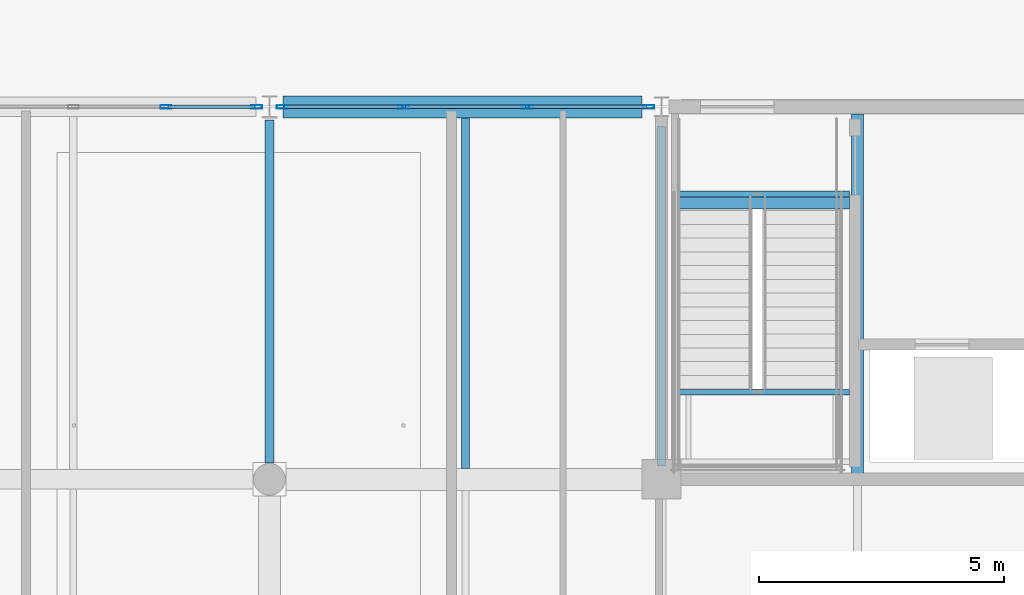
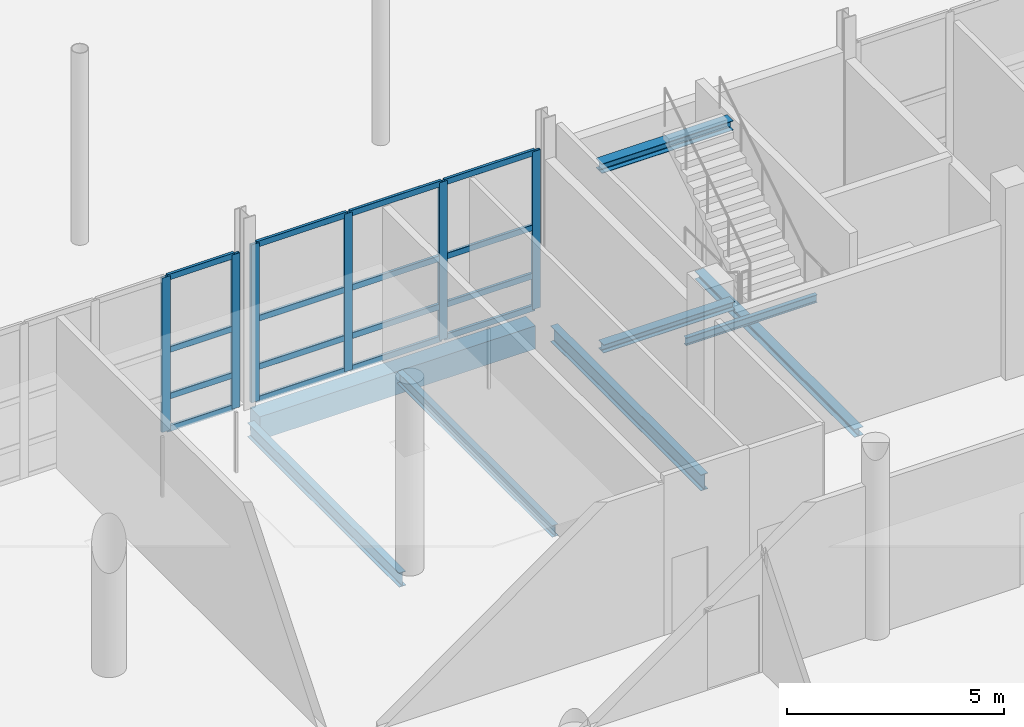
# One storey, part 44 of 126: 22 members, 8 beams, 2 elements without a shape of their own.
"""IFC4 building model written with IfcOpenShell, lengths in metres."""

from ifc_helpers import new_model, si_unit, direction, frame, origin, origin_2d, place, context, subcontext, project, spatial, rectangle, hollow_rectangle, i_section, extrude, material, material_profile, profile_set, type_object, element, aggregate, save


model = new_model("IFC4")

# Units and contexts
model_context = context("Model", 3, precision=1e-05, world=origin(), true_north=direction((0.0, 1.0)))
body_context = subcontext(model_context, "Body", "Model", "MODEL_VIEW")
ifc_project = project(units=[si_unit("LENGTHUNIT", "METRE"), si_unit("AREAUNIT", "SQUARE_METRE"), si_unit("VOLUMEUNIT", "CUBIC_METRE"), si_unit("PLANEANGLEUNIT", "RADIAN"), si_unit("MASSUNIT", "GRAM", prefix="KILO")], contexts=[model_context])

# Site, building, storey
site_placement = place(None, origin())
site = spatial("IfcSite", under=ifc_project, at=site_placement, CompositionType="ELEMENT")
building_placement = place(site_placement, origin())
building = spatial("IfcBuilding", under=site, at=building_placement, Name="Khelvaren Railside Concert Hall", CompositionType="ELEMENT")
storey_placement = place(building_placement, origin())
storey = spatial("IfcBuildingStorey", under=building, at=storey_placement, Name="L00", CompositionType="ELEMENT", Elevation=0.0)

# Beams
ifc_material_1 = material(Name="Steel S355", Category="steel")
ifc_material_profile_1 = material_profile(ifc_material_1, i_section(OverallWidth=0.179931640625, OverallDepth=0.39990234375, WebThickness=0.008544921875, FlangeThickness=0.013427734375, FilletRadius=0.02099609375, at=origin_2d()), Name="IPE 400")
ifc_profile_set_1 = profile_set([ifc_material_profile_1], Name="Steel S355")
beam_type_1 = type_object("IfcBeamType", Name="BM29", PredefinedType="BEAM", material=ifc_profile_set_1)
beam_1_placement = place(storey_placement, frame((160.0, 30.736083984375, -0.52001953125), z_axis=(0.0, 1.0, 0.0), x_axis=(-1.0, 0.0, 0.0)))
element("IfcBeam", 1, at=beam_1_placement, inside=storey, type_object=beam_type_1, Name="V2 L00 Beam Y3.5", PredefinedType="BEAM", context=body_context, shape_type="SweptSolid", body=[
    extrude(i_section(OverallWidth=0.179931640625, OverallDepth=0.39990234375, WebThickness=0.008544921875, FlangeThickness=0.013427734375, FilletRadius=0.02099609375, at=origin_2d()), origin(), (0.0, 0.0, 1.0), 6.990966796875),
])
ifc_material_profile_2 = material_profile(ifc_material_1, i_section(OverallWidth=0.239990234375, OverallDepth=0.22998046875, WebThickness=0.007568359375, FlangeThickness=0.011962890625, FilletRadius=0.02099609375, at=origin_2d()), Name="HEA 240")
ifc_profile_set_2 = profile_set([ifc_material_profile_2], Name="Steel S355")
beam_type_2 = type_object("IfcBeamType", Name="BM42", PredefinedType="BEAM", material=ifc_profile_set_2)
beam_2_placement = place(storey_placement, frame((168.344970703125, 36.039306640625, -0.114990234375), z_axis=(1.0, 0.0, 0.0), x_axis=(0.0, 1.0, 0.0)))
element("IfcBeam", 2, at=beam_2_placement, inside=storey, type_object=beam_type_2, Name="ST-04 L00 Stair Foot Trimmer Beam", PredefinedType="BEAM", context=body_context, shape_type="SweptSolid", body=[
    extrude(i_section(OverallWidth=0.239990234375, OverallDepth=0.22998046875, WebThickness=0.007568359375, FlangeThickness=0.011962890625, FilletRadius=0.02099609375, at=origin_2d()), origin(), (0.0, 0.0, 1.0), 3.4951171875),
])
ifc_material_profile_3 = material_profile(ifc_material_1, i_section(OverallWidth=0.110107421875, OverallDepth=0.219970703125, WebThickness=0.005859375, FlangeThickness=0.00927734375, FilletRadius=0.011962890625, at=origin_2d()), Name="IPE 220")
ifc_profile_set_3 = profile_set([ifc_material_profile_3], Name="Steel S355")
beam_type_3 = type_object("IfcBeamType", Name="BM87", PredefinedType="BEAM", material=ifc_profile_set_3)
beam_3_placement = place(storey_placement, frame((168.344970703125, 32.175048828125, 2.389892578125), z_axis=(1.0, 0.0, 0.0), x_axis=(0.0, 1.0, 0.0)))
element("IfcBeam", 3, at=beam_3_placement, inside=storey, type_object=beam_type_3, Name="ST-04 L00 Half-Landing Front Beam", PredefinedType="BEAM", context=body_context, shape_type="SweptSolid", body=[
    extrude(i_section(OverallWidth=0.110107421875, OverallDepth=0.219970703125, WebThickness=0.005859375, FlangeThickness=0.00927734375, FilletRadius=0.011962890625, at=origin_2d()), origin(), (0.0, 0.0, 1.0), 3.4951171875),
])
ifc_material_profile_4 = material_profile(ifc_material_1, i_section(OverallWidth=0.280029296875, OverallDepth=0.27001953125, WebThickness=0.008056640625, FlangeThickness=0.012939453125, FilletRadius=0.02392578125, at=origin_2d()), Name="HEA 280")
ifc_profile_set_4 = profile_set([ifc_material_profile_4], Name="Steel S355")
beam_type_4 = type_object("IfcBeamType", Name="BM93", PredefinedType="BEAM", material=ifc_profile_set_4)
beam_4_placement = place(storey_placement, frame((168.344970703125, 36.139892578125, 4.90673828125), z_axis=(1.0, 0.0, 0.0), x_axis=(0.0, 1.0, 0.0)))
element("IfcBeam", 4, at=beam_4_placement, inside=storey, type_object=beam_type_4, Name="ST-04 L00 Stair Top Arrival Trimmer Beam", PredefinedType="BEAM", context=body_context, shape_type="SweptSolid", body=[
    extrude(i_section(OverallWidth=0.280029296875, OverallDepth=0.27001953125, WebThickness=0.008056640625, FlangeThickness=0.012939453125, FilletRadius=0.02392578125, at=origin_2d()), origin(), (0.0, 0.0, 1.0), 3.4951171875),
])
ifc_material_profile_5 = material_profile(ifc_material_1, i_section(OverallWidth=0.18994140625, OverallDepth=0.449951171875, WebThickness=0.009521484375, FlangeThickness=0.0146484375, FilletRadius=0.02099609375, at=origin_2d()), Name="IPE 450")
ifc_profile_set_5 = profile_set([ifc_material_profile_5], Name="Steel S355")
beam_type_5 = type_object("IfcBeamType", Name="BM95", PredefinedType="BEAM", material=ifc_profile_set_5)
beam_5_placement = place(storey_placement, frame((168.0, 30.673095703125, -0.544921875), z_axis=(0.0, 1.0, 0.0), x_axis=(-1.0, 0.0, 0.0)))
element("IfcBeam", 5, at=beam_5_placement, inside=storey, type_object=beam_type_5, Name="V2 L00 Beam Y4.5", PredefinedType="BEAM", context=body_context, shape_type="SweptSolid", body=[
    extrude(i_section(OverallWidth=0.18994140625, OverallDepth=0.449951171875, WebThickness=0.009521484375, FlangeThickness=0.0146484375, FilletRadius=0.02099609375, at=origin_2d()), origin(), (0.0, 0.0, 1.0), 6.927001953125),
])

# Curtain wall, members
ifc_material_2 = material(Name="Triple-glazed solar-control glass", Category="glass")
curtain_wall_type_1 = type_object("IfcCurtainWallType", Name="CW41", PredefinedType="USERDEFINED", material=ifc_material_2)
curtain_wall_1_placement = place(storey_placement, origin())
curtain_wall_1 = element("IfcCurtainWall", 6, at=curtain_wall_1_placement, inside=storey, type_object=curtain_wall_type_1, Name="Unitised Curtain Wall CW-V2-L00-N-152", ObjectType="UNITISED CURTAIN WALL", PredefinedType="USERDEFINED")
ifc_material_3 = material(Name="Anodised architectural aluminium 6063-T6", Category="aluminium")
ifc_material_profile_6 = material_profile(ifc_material_3, hollow_rectangle(XDim=0.074951171875, YDim=0.219970703125, WallThickness=0.0048828125, InnerFilletRadius=0.0029296875, OuterFilletRadius=0.0048828125, at=origin_2d()), Name="CWM 75x220x5")
ifc_profile_set_6 = profile_set([ifc_material_profile_6], Name="Anodised architectural aluminium 6063-T6")
member_type_1 = type_object("IfcMemberType", Name="CWM13", PredefinedType="MULLION", material=ifc_profile_set_6)
member_1_placement = place(storey_placement, frame((157.888671875, 38.0, 0.0), z_axis=(0.0, 0.0, 1.0), x_axis=(0.0, 1.0, 0.0)))
member_1 = element("IfcMember", 7, at=member_1_placement, type_object=member_type_1, Name="CW41 mullion 4", PredefinedType="MULLION", context=body_context, shape_type="SweptSolid", body=[
    extrude(hollow_rectangle(XDim=0.074951171875, YDim=0.219970703125, WallThickness=0.0048828125, InnerFilletRadius=0.0029296875, OuterFilletRadius=0.0048828125, at=origin_2d()), origin(), (0.0, 0.0, 1.0), 4.340087890625),
])
member_2_placement = place(storey_placement, frame((159.739990234375, 38.0, 0.0), z_axis=(0.0, 0.0, 1.0), x_axis=(0.0, 1.0, 0.0)))
member_2 = element("IfcMember", 8, at=member_2_placement, type_object=member_type_1, Name="CW41 mullion 5", PredefinedType="MULLION", context=body_context, shape_type="SweptSolid", body=[
    extrude(hollow_rectangle(XDim=0.074951171875, YDim=0.219970703125, WallThickness=0.0048828125, InnerFilletRadius=0.0029296875, OuterFilletRadius=0.0048828125, at=origin_2d()), origin(), (0.0, 0.0, 1.0), 4.340087890625),
])

curtain_wall_type_2 = type_object("IfcCurtainWallType", Name="CW88", PredefinedType="USERDEFINED", material=ifc_material_2)
curtain_wall_2_placement = place(storey_placement, origin())
curtain_wall_2 = element("IfcCurtainWall", 9, at=curtain_wall_2_placement, inside=storey, type_object=curtain_wall_type_2, Name="Unitised Curtain Wall CW-V2-L00-N-160", ObjectType="UNITISED CURTAIN WALL", PredefinedType="USERDEFINED")
member_3_placement = place(storey_placement, frame((160.260009765625, 38.0, 0.0), z_axis=(0.0, 0.0, 1.0), x_axis=(0.0, 1.0, 0.0)))
member_3 = element("IfcMember", 10, at=member_3_placement, type_object=member_type_1, Name="CW88 mullion 1", PredefinedType="MULLION", context=body_context, shape_type="SweptSolid", body=[
    extrude(hollow_rectangle(XDim=0.074951171875, YDim=0.219970703125, WallThickness=0.0048828125, InnerFilletRadius=0.0029296875, OuterFilletRadius=0.0048828125, at=origin_2d()), origin(), (0.0, 0.0, 1.0), 4.43994140625),
])
member_4_placement = place(storey_placement, frame((162.74072265625, 38.0, 0.0), z_axis=(0.0, 0.0, 1.0), x_axis=(0.0, 1.0, 0.0)))
member_4 = element("IfcMember", 11, at=member_4_placement, type_object=member_type_1, Name="CW88 mullion 2", PredefinedType="MULLION", context=body_context, shape_type="SweptSolid", body=[
    extrude(hollow_rectangle(XDim=0.074951171875, YDim=0.219970703125, WallThickness=0.0048828125, InnerFilletRadius=0.0029296875, OuterFilletRadius=0.0048828125, at=origin_2d()), origin(), (0.0, 0.0, 1.0), 4.43994140625),
])
member_5_placement = place(storey_placement, frame((165.25927734375, 38.0, 0.0), z_axis=(0.0, 0.0, 1.0), x_axis=(0.0, 1.0, 0.0)))
member_5 = element("IfcMember", 12, at=member_5_placement, type_object=member_type_1, Name="CW88 mullion 3", PredefinedType="MULLION", context=body_context, shape_type="SweptSolid", body=[
    extrude(hollow_rectangle(XDim=0.074951171875, YDim=0.219970703125, WallThickness=0.0048828125, InnerFilletRadius=0.0029296875, OuterFilletRadius=0.0048828125, at=origin_2d()), origin(), (0.0, 0.0, 1.0), 4.43994140625),
])
member_6_placement = place(storey_placement, frame((167.739990234375, 38.0, 0.0), z_axis=(0.0, 0.0, 1.0), x_axis=(0.0, 1.0, 0.0)))
member_6 = element("IfcMember", 13, at=member_6_placement, type_object=member_type_1, Name="CW88 mullion 4", PredefinedType="MULLION", context=body_context, shape_type="SweptSolid", body=[
    extrude(hollow_rectangle(XDim=0.074951171875, YDim=0.219970703125, WallThickness=0.0048828125, InnerFilletRadius=0.0029296875, OuterFilletRadius=0.0048828125, at=origin_2d()), origin(), (0.0, 0.0, 1.0), 4.43994140625),
])

# Member
ifc_material_profile_7 = material_profile(ifc_material_3, hollow_rectangle(XDim=0.074951171875, YDim=0.1650390625, WallThickness=0.00390625, InnerFilletRadius=0.001953125, OuterFilletRadius=0.00390625, at=origin_2d()), Name="CWT 75x165x4")
ifc_profile_set_7 = profile_set([ifc_material_profile_7], Name="Anodised architectural aluminium 6063-T6")
member_type_2 = type_object("IfcMemberType", Name="CWT46", PredefinedType="USERDEFINED", material=ifc_profile_set_7)
member_7_placement = place(storey_placement, frame((157.92626953125, 38.0, 0.03759765625), z_axis=(1.0, 0.0, 0.0), x_axis=(0.0, 1.0, 0.0)))
member_7 = element("IfcMember", 14, at=member_7_placement, type_object=member_type_2, Name="CW41 transom 4.1", ObjectType="TRANSOM", PredefinedType="USERDEFINED", context=body_context, shape_type="SweptSolid", body=[
    extrude(hollow_rectangle(XDim=0.074951171875, YDim=0.1650390625, WallThickness=0.00390625, InnerFilletRadius=0.001953125, OuterFilletRadius=0.00390625, at=origin_2d()), origin(), (0.0, 0.0, 1.0), 1.776123046875),
])

member_8_placement = place(storey_placement, frame((157.92626953125, 38.0, 0.949951171875), z_axis=(1.0, 0.0, 0.0), x_axis=(0.0, 1.0, 0.0)))
member_8 = element("IfcMember", 15, at=member_8_placement, type_object=member_type_2, Name="CW41 transom 4.2", ObjectType="TRANSOM", PredefinedType="USERDEFINED", context=body_context, shape_type="SweptSolid", body=[
    extrude(hollow_rectangle(XDim=0.074951171875, YDim=0.1650390625, WallThickness=0.00390625, InnerFilletRadius=0.001953125, OuterFilletRadius=0.00390625, at=origin_2d()), origin(), (0.0, 0.0, 1.0), 1.776123046875),
])

member_9_placement = place(storey_placement, frame((157.92626953125, 38.0, 2.2568359375), z_axis=(1.0, 0.0, 0.0), x_axis=(0.0, 1.0, 0.0)))
member_9 = element("IfcMember", 16, at=member_9_placement, type_object=member_type_2, Name="CW41 transom 4.3", ObjectType="TRANSOM", PredefinedType="USERDEFINED", context=body_context, shape_type="SweptSolid", body=[
    extrude(hollow_rectangle(XDim=0.074951171875, YDim=0.1650390625, WallThickness=0.00390625, InnerFilletRadius=0.001953125, OuterFilletRadius=0.00390625, at=origin_2d()), origin(), (0.0, 0.0, 1.0), 1.776123046875),
])

member_10_placement = place(storey_placement, frame((157.92626953125, 38.0, 4.302490234375), z_axis=(1.0, 0.0, 0.0), x_axis=(0.0, 1.0, 0.0)))
member_10 = element("IfcMember", 17, at=member_10_placement, type_object=member_type_2, Name="CW41 transom 4.4", ObjectType="TRANSOM", PredefinedType="USERDEFINED", context=body_context, shape_type="SweptSolid", body=[
    extrude(hollow_rectangle(XDim=0.074951171875, YDim=0.1650390625, WallThickness=0.00390625, InnerFilletRadius=0.001953125, OuterFilletRadius=0.00390625, at=origin_2d()), origin(), (0.0, 0.0, 1.0), 1.776123046875),
])

aggregate(curtain_wall_1, [member_1, member_2, member_7, member_8, member_9, member_10])

member_11_placement = place(storey_placement, frame((160.297607421875, 38.0, 0.03759765625), z_axis=(1.0, 0.0, 0.0), x_axis=(0.0, 1.0, 0.0)))
member_11 = element("IfcMember", 18, at=member_11_placement, type_object=member_type_2, Name="CW88 transom 1.1", ObjectType="TRANSOM", PredefinedType="USERDEFINED", context=body_context, shape_type="SweptSolid", body=[
    extrude(hollow_rectangle(XDim=0.074951171875, YDim=0.1650390625, WallThickness=0.00390625, InnerFilletRadius=0.001953125, OuterFilletRadius=0.00390625, at=origin_2d()), origin(), (0.0, 0.0, 1.0), 2.40576171875),
])

member_12_placement = place(storey_placement, frame((160.297607421875, 38.0, 0.949951171875), z_axis=(1.0, 0.0, 0.0), x_axis=(0.0, 1.0, 0.0)))
member_12 = element("IfcMember", 19, at=member_12_placement, type_object=member_type_2, Name="CW88 transom 1.2", ObjectType="TRANSOM", PredefinedType="USERDEFINED", context=body_context, shape_type="SweptSolid", body=[
    extrude(hollow_rectangle(XDim=0.074951171875, YDim=0.1650390625, WallThickness=0.00390625, InnerFilletRadius=0.001953125, OuterFilletRadius=0.00390625, at=origin_2d()), origin(), (0.0, 0.0, 1.0), 2.40576171875),
])

member_13_placement = place(storey_placement, frame((160.297607421875, 38.0, 2.308837890625), z_axis=(1.0, 0.0, 0.0), x_axis=(0.0, 1.0, 0.0)))
member_13 = element("IfcMember", 20, at=member_13_placement, type_object=member_type_2, Name="CW88 transom 1.3", ObjectType="TRANSOM", PredefinedType="USERDEFINED", context=body_context, shape_type="SweptSolid", body=[
    extrude(hollow_rectangle(XDim=0.074951171875, YDim=0.1650390625, WallThickness=0.00390625, InnerFilletRadius=0.001953125, OuterFilletRadius=0.00390625, at=origin_2d()), origin(), (0.0, 0.0, 1.0), 2.40576171875),
])

member_14_placement = place(storey_placement, frame((160.297607421875, 38.0, 4.402587890625), z_axis=(1.0, 0.0, 0.0), x_axis=(0.0, 1.0, 0.0)))
member_14 = element("IfcMember", 21, at=member_14_placement, type_object=member_type_2, Name="CW88 transom 1.4", ObjectType="TRANSOM", PredefinedType="USERDEFINED", context=body_context, shape_type="SweptSolid", body=[
    extrude(hollow_rectangle(XDim=0.074951171875, YDim=0.1650390625, WallThickness=0.00390625, InnerFilletRadius=0.001953125, OuterFilletRadius=0.00390625, at=origin_2d()), origin(), (0.0, 0.0, 1.0), 2.40576171875),
])

member_15_placement = place(storey_placement, frame((162.7783203125, 38.0, 0.03759765625), z_axis=(1.0, 0.0, 0.0), x_axis=(0.0, 1.0, 0.0)))
member_15 = element("IfcMember", 22, at=member_15_placement, type_object=member_type_2, Name="CW88 transom 2.1", ObjectType="TRANSOM", PredefinedType="USERDEFINED", context=body_context, shape_type="SweptSolid", body=[
    extrude(hollow_rectangle(XDim=0.074951171875, YDim=0.1650390625, WallThickness=0.00390625, InnerFilletRadius=0.001953125, OuterFilletRadius=0.00390625, at=origin_2d()), origin(), (0.0, 0.0, 1.0), 2.443359375),
])

member_16_placement = place(storey_placement, frame((162.7783203125, 38.0, 0.949951171875), z_axis=(1.0, 0.0, 0.0), x_axis=(0.0, 1.0, 0.0)))
member_16 = element("IfcMember", 23, at=member_16_placement, type_object=member_type_2, Name="CW88 transom 2.2", ObjectType="TRANSOM", PredefinedType="USERDEFINED", context=body_context, shape_type="SweptSolid", body=[
    extrude(hollow_rectangle(XDim=0.074951171875, YDim=0.1650390625, WallThickness=0.00390625, InnerFilletRadius=0.001953125, OuterFilletRadius=0.00390625, at=origin_2d()), origin(), (0.0, 0.0, 1.0), 2.443359375),
])

member_17_placement = place(storey_placement, frame((162.7783203125, 38.0, 2.308837890625), z_axis=(1.0, 0.0, 0.0), x_axis=(0.0, 1.0, 0.0)))
member_17 = element("IfcMember", 24, at=member_17_placement, type_object=member_type_2, Name="CW88 transom 2.3", ObjectType="TRANSOM", PredefinedType="USERDEFINED", context=body_context, shape_type="SweptSolid", body=[
    extrude(hollow_rectangle(XDim=0.074951171875, YDim=0.1650390625, WallThickness=0.00390625, InnerFilletRadius=0.001953125, OuterFilletRadius=0.00390625, at=origin_2d()), origin(), (0.0, 0.0, 1.0), 2.443359375),
])

member_18_placement = place(storey_placement, frame((162.7783203125, 38.0, 4.402587890625), z_axis=(1.0, 0.0, 0.0), x_axis=(0.0, 1.0, 0.0)))
member_18 = element("IfcMember", 25, at=member_18_placement, type_object=member_type_2, Name="CW88 transom 2.4", ObjectType="TRANSOM", PredefinedType="USERDEFINED", context=body_context, shape_type="SweptSolid", body=[
    extrude(hollow_rectangle(XDim=0.074951171875, YDim=0.1650390625, WallThickness=0.00390625, InnerFilletRadius=0.001953125, OuterFilletRadius=0.00390625, at=origin_2d()), origin(), (0.0, 0.0, 1.0), 2.443359375),
])

member_19_placement = place(storey_placement, frame((165.296630859375, 38.0, 0.03759765625), z_axis=(1.0, 0.0, 0.0), x_axis=(0.0, 1.0, 0.0)))
member_19 = element("IfcMember", 26, at=member_19_placement, type_object=member_type_2, Name="CW88 transom 3.1", ObjectType="TRANSOM", PredefinedType="USERDEFINED", context=body_context, shape_type="SweptSolid", body=[
    extrude(hollow_rectangle(XDim=0.074951171875, YDim=0.1650390625, WallThickness=0.00390625, InnerFilletRadius=0.001953125, OuterFilletRadius=0.00390625, at=origin_2d()), origin(), (0.0, 0.0, 1.0), 2.40576171875),
])

member_20_placement = place(storey_placement, frame((165.296630859375, 38.0, 0.949951171875), z_axis=(1.0, 0.0, 0.0), x_axis=(0.0, 1.0, 0.0)))
member_20 = element("IfcMember", 27, at=member_20_placement, type_object=member_type_2, Name="CW88 transom 3.2", ObjectType="TRANSOM", PredefinedType="USERDEFINED", context=body_context, shape_type="SweptSolid", body=[
    extrude(hollow_rectangle(XDim=0.074951171875, YDim=0.1650390625, WallThickness=0.00390625, InnerFilletRadius=0.001953125, OuterFilletRadius=0.00390625, at=origin_2d()), origin(), (0.0, 0.0, 1.0), 2.40576171875),
])

member_21_placement = place(storey_placement, frame((165.296630859375, 38.0, 2.308837890625), z_axis=(1.0, 0.0, 0.0), x_axis=(0.0, 1.0, 0.0)))
member_21 = element("IfcMember", 28, at=member_21_placement, type_object=member_type_2, Name="CW88 transom 3.3", ObjectType="TRANSOM", PredefinedType="USERDEFINED", context=body_context, shape_type="SweptSolid", body=[
    extrude(hollow_rectangle(XDim=0.074951171875, YDim=0.1650390625, WallThickness=0.00390625, InnerFilletRadius=0.001953125, OuterFilletRadius=0.00390625, at=origin_2d()), origin(), (0.0, 0.0, 1.0), 2.40576171875),
])

member_22_placement = place(storey_placement, frame((165.296630859375, 38.0, 4.402587890625), z_axis=(1.0, 0.0, 0.0), x_axis=(0.0, 1.0, 0.0)))
member_22 = element("IfcMember", 29, at=member_22_placement, type_object=member_type_2, Name="CW88 transom 3.4", ObjectType="TRANSOM", PredefinedType="USERDEFINED", context=body_context, shape_type="SweptSolid", body=[
    extrude(hollow_rectangle(XDim=0.074951171875, YDim=0.1650390625, WallThickness=0.00390625, InnerFilletRadius=0.001953125, OuterFilletRadius=0.00390625, at=origin_2d()), origin(), (0.0, 0.0, 1.0), 2.40576171875),
])

aggregate(curtain_wall_2, [member_3, member_4, member_5, member_6, member_11, member_12, member_13, member_14, member_15, member_16, member_17, member_18, member_19, member_20, member_21, member_22])

# Beams
ifc_material_profile_8 = material_profile(ifc_material_1, i_section(OverallWidth=0.159912109375, OverallDepth=0.330078125, WebThickness=0.007568359375, FlangeThickness=0.011474609375, FilletRadius=0.01806640625, at=origin_2d()), Name="IPE 330")
ifc_profile_set_8 = profile_set([ifc_material_profile_8], Name="Steel S355")
beam_type_6 = type_object("IfcBeamType", Name="JS65", PredefinedType="JOIST", material=ifc_profile_set_8)
beam_6_placement = place(storey_placement, frame((164.0, 30.625, -0.485107421875), z_axis=(0.0, 1.0, 0.0), x_axis=(-1.0, 0.0, 0.0)))
element("IfcBeam", 30, at=beam_6_placement, inside=storey, type_object=beam_type_6, Name="V2 L00 Secondary Joist 3.5", PredefinedType="JOIST", context=body_context, shape_type="SweptSolid", body=[
    extrude(i_section(OverallWidth=0.159912109375, OverallDepth=0.330078125, WebThickness=0.007568359375, FlangeThickness=0.011474609375, FilletRadius=0.01806640625, at=origin_2d()), origin(), (0.0, 0.0, 1.0), 7.14990234375),
])
ifc_material_profile_9 = material_profile(ifc_material_1, i_section(OverallWidth=0.239990234375, OverallDepth=0.22998046875, WebThickness=0.007568359375, FlangeThickness=0.011962890625, FilletRadius=0.02099609375, at=origin_2d()), Name="HEA 240")
ifc_profile_set_9 = profile_set([ifc_material_profile_9], Name="Steel S355")
beam_type_7 = type_object("IfcBeamType", Name="JS76", PredefinedType="JOIST", material=ifc_profile_set_9)
beam_7_placement = place(storey_placement, frame((172.0, 30.489990234375, -0.43505859375), z_axis=(0.0, 1.0, 0.0), x_axis=(-1.0, 0.0, 0.0)))
element("IfcBeam", 31, at=beam_7_placement, inside=storey, type_object=beam_type_7, Name="V2 L00 Secondary Joist 4.5", PredefinedType="JOIST", context=body_context, shape_type="SweptSolid", body=[
    extrude(i_section(OverallWidth=0.239990234375, OverallDepth=0.22998046875, WebThickness=0.007568359375, FlangeThickness=0.011962890625, FilletRadius=0.02099609375, at=origin_2d()), origin(), (0.0, 0.0, 1.0), 7.360107421875),
])
ifc_material_4 = material(Name="Concrete C40/50", Category="concrete")
ifc_material_profile_10 = material_profile(ifc_material_4, rectangle(XDim=0.449951171875, YDim=0.64990234375, at=origin_2d()), Name="RCB 450x650")
ifc_profile_set_10 = profile_set([ifc_material_profile_10], Name="Concrete C40/50")
beam_type_8 = type_object("IfcBeamType", Name="SP34", PredefinedType="SPANDREL", material=ifc_profile_set_10)
beam_8_placement = place(storey_placement, frame((160.27294921875, 38.0, -0.64501953125), z_axis=(1.0, 0.0, 0.0), x_axis=(0.0, 1.0, 0.0)))
element("IfcBeam", 32, at=beam_8_placement, inside=storey, type_object=beam_type_8, Name="V2 L00 Spandrel X6.3", PredefinedType="SPANDREL", context=body_context, shape_type="SweptSolid", body=[
    extrude(rectangle(XDim=0.449951171875, YDim=0.64990234375, at=origin_2d()), origin(), (0.0, 0.0, 1.0), 7.3271484375),
])

save(model, "model.ifc")
